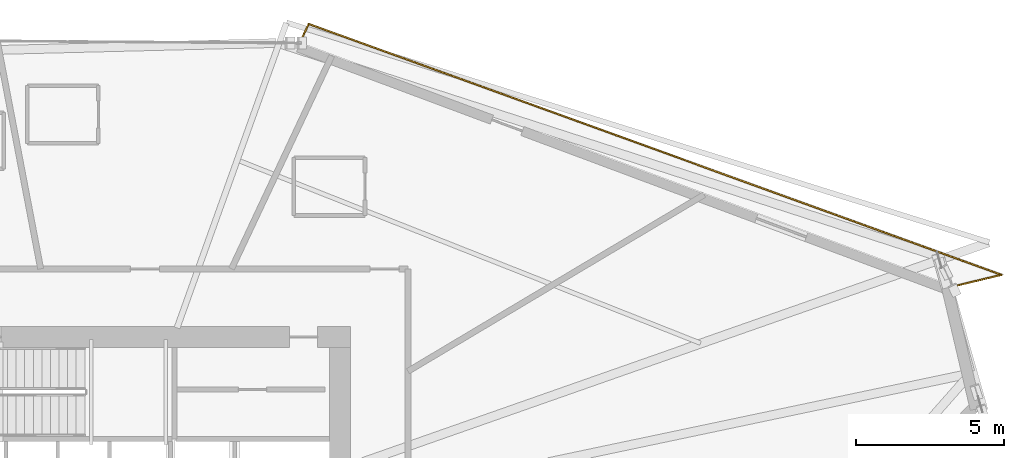
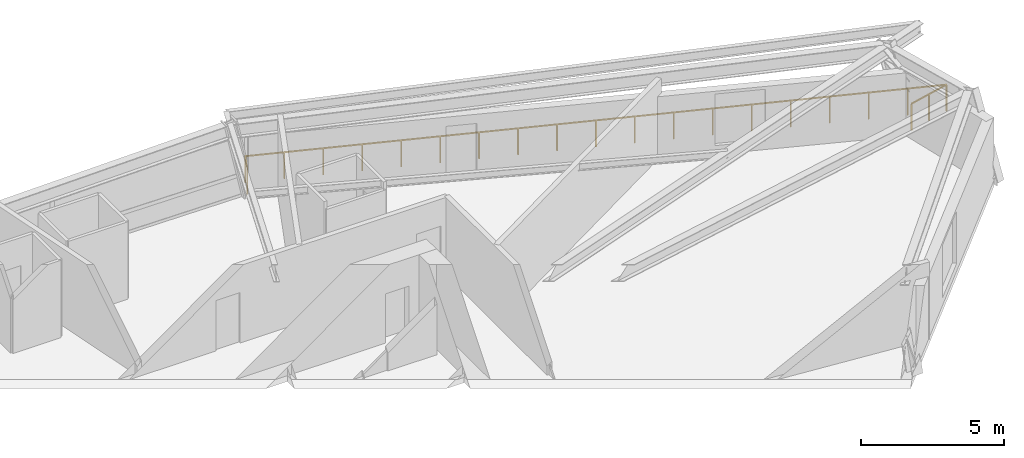
# One storey, part 22 of 22: 1 railing.
"""IFC4 building model written with IfcOpenShell, lengths in metres."""

from ifc_helpers import new_model, si_unit, direction, frame, origin, origin_2d, place, context, subcontext, project, spatial, rectangle, extrude, material, type_object, element, save


model = new_model("IFC4")

# Units and contexts
model_context = context("Model", 3, precision=1e-05, world=origin(), true_north=direction((0.0, 1.0)))
body_context = subcontext(model_context, "Body", "Model", "MODEL_VIEW")
ifc_project = project(units=[si_unit("LENGTHUNIT", "METRE"), si_unit("AREAUNIT", "SQUARE_METRE"), si_unit("VOLUMEUNIT", "CUBIC_METRE"), si_unit("PLANEANGLEUNIT", "RADIAN"), si_unit("MASSUNIT", "GRAM", prefix="KILO")], contexts=[model_context])

# Site, building, storey
site_placement = place(None, origin())
site = spatial("IfcSite", under=ifc_project, at=site_placement, CompositionType="ELEMENT")
building_placement = place(site_placement, origin())
building = spatial("IfcBuilding", under=site, at=building_placement, Name="Olszyna Solenne Hotel", CompositionType="ELEMENT")
storey_placement = place(building_placement, frame((0.0, 0.0, 95.050048828125)))
storey = spatial("IfcBuildingStorey", under=building, at=storey_placement, Name="L24", CompositionType="ELEMENT", Elevation=95.050048828125)

# Railing
ifc_material = material(Name="Anodised bronze aluminium", Category="aluminium")
railing_type = type_object("IfcRailingType", Name="GR-110", PredefinedType="BALUSTRADE", material=ifc_material)
railing_placement = place(storey_placement, frame((66.954345703125, 35.7509765625, 0.0)))
element("IfcRailing", 1, at=railing_placement, inside=storey, type_object=railing_type, Name="Loggia balcony balustrade guard GR-L24-LG1", PredefinedType="BALUSTRADE", context=body_context, shape_type="SweptSolid", body=[
    extrude(rectangle(XDim=0.048095703125, YDim=0.048095703125, at=origin_2d()), frame((0.0, 0.0, 1.1259765625), z_axis=(0.972292914612, 0.233765883299, 0.0), x_axis=(-0.233765883299, 0.972292914612, 0.0)), (0.0, 0.0, 1.0), 1.69189453125),
    extrude(rectangle(XDim=0.048095703125, YDim=0.048095703125, at=origin_2d()), frame((1.64501953125, 0.3955078125, 1.1259765625), z_axis=(-0.940222758362, 0.340560074963, 0.0), x_axis=(-0.340560074963, -0.940222758362, 0.0)), (0.0, 0.0, 1.0), 24.894287109375),
    extrude(rectangle(XDim=0.048095703125, YDim=0.048095703125, at=origin_2d()), frame((-21.76123046875, 8.87353515625, 1.1259765625), z_axis=(-0.418621505166, -0.908160798214, 0.0), x_axis=(0.908160798214, -0.418621505166, 0.0)), (0.0, 0.0, 1.0), 0.709228515625),
    extrude(rectangle(XDim=0.0419921875, YDim=0.0419921875, at=origin_2d()), origin(), (0.0, 0.0, 1.0), 1.101806640625),
    extrude(rectangle(XDim=0.0419921875, YDim=0.0419921875, at=origin_2d()), frame((0.822509765625, 0.19775390625, 0.0)), (0.0, 0.0, 1.0), 1.101806640625),
    extrude(rectangle(XDim=0.0419921875, YDim=0.0419921875, at=origin_2d()), frame((1.64501953125, 0.3955078125, 0.0)), (0.0, 0.0, 1.0), 1.101806640625),
    extrude(rectangle(XDim=0.0419921875, YDim=0.0419921875, at=origin_2d()), frame((0.3447265625, 0.866455078125, 0.0)), (0.0, 0.0, 1.0), 1.101806640625),
    extrude(rectangle(XDim=0.0419921875, YDim=0.0419921875, at=origin_2d()), frame((-0.95556640625, 1.33740234375, 0.0)), (0.0, 0.0, 1.0), 1.101806640625),
    extrude(rectangle(XDim=0.0419921875, YDim=0.0419921875, at=origin_2d()), frame((-2.256103515625, 1.80859375, 0.0)), (0.0, 0.0, 1.0), 1.101806640625),
    extrude(rectangle(XDim=0.0419921875, YDim=0.0419921875, at=origin_2d()), frame((-3.556396484375, 2.279541015625, 0.0)), (0.0, 0.0, 1.0), 1.101806640625),
    extrude(rectangle(XDim=0.0419921875, YDim=0.0419921875, at=origin_2d()), frame((-4.856689453125, 2.75048828125, 0.0)), (0.0, 0.0, 1.0), 1.101806640625),
    extrude(rectangle(XDim=0.0419921875, YDim=0.0419921875, at=origin_2d()), frame((-6.156982421875, 3.221435546875, 0.0)), (0.0, 0.0, 1.0), 1.101806640625),
    extrude(rectangle(XDim=0.0419921875, YDim=0.0419921875, at=origin_2d()), frame((-7.45751953125, 3.692626953125, 0.0)), (0.0, 0.0, 1.0), 1.101806640625),
    extrude(rectangle(XDim=0.0419921875, YDim=0.0419921875, at=origin_2d()), frame((-8.7578125, 4.16357421875, 0.0)), (0.0, 0.0, 1.0), 1.101806640625),
    extrude(rectangle(XDim=0.0419921875, YDim=0.0419921875, at=origin_2d()), frame((-10.05810546875, 4.634521484375, 0.0)), (0.0, 0.0, 1.0), 1.101806640625),
    extrude(rectangle(XDim=0.0419921875, YDim=0.0419921875, at=origin_2d()), frame((-11.3583984375, 5.10546875, 0.0)), (0.0, 0.0, 1.0), 1.101806640625),
    extrude(rectangle(XDim=0.0419921875, YDim=0.0419921875, at=origin_2d()), frame((-12.65869140625, 5.576416015625, 0.0)), (0.0, 0.0, 1.0), 1.101806640625),
    extrude(rectangle(XDim=0.0419921875, YDim=0.0419921875, at=origin_2d()), frame((-13.959228515625, 6.047607421875, 0.0)), (0.0, 0.0, 1.0), 1.101806640625),
    extrude(rectangle(XDim=0.0419921875, YDim=0.0419921875, at=origin_2d()), frame((-15.259521484375, 6.5185546875, 0.0)), (0.0, 0.0, 1.0), 1.101806640625),
    extrude(rectangle(XDim=0.0419921875, YDim=0.0419921875, at=origin_2d()), frame((-16.559814453125, 6.989501953125, 0.0)), (0.0, 0.0, 1.0), 1.101806640625),
    extrude(rectangle(XDim=0.0419921875, YDim=0.0419921875, at=origin_2d()), frame((-17.860107421875, 7.46044921875, 0.0)), (0.0, 0.0, 1.0), 1.101806640625),
    extrude(rectangle(XDim=0.0419921875, YDim=0.0419921875, at=origin_2d()), frame((-19.16064453125, 7.931640625, 0.0)), (0.0, 0.0, 1.0), 1.101806640625),
    extrude(rectangle(XDim=0.0419921875, YDim=0.0419921875, at=origin_2d()), frame((-20.4609375, 8.402587890625, 0.0)), (0.0, 0.0, 1.0), 1.101806640625),
    extrude(rectangle(XDim=0.0419921875, YDim=0.0419921875, at=origin_2d()), frame((-21.76123046875, 8.87353515625, 0.0)), (0.0, 0.0, 1.0), 1.101806640625),
    extrude(rectangle(XDim=0.0419921875, YDim=0.0419921875, at=origin_2d()), frame((-22.05810546875, 8.2294921875, 0.0)), (0.0, 0.0, 1.0), 1.101806640625),
])

save(model, "model.ifc")
